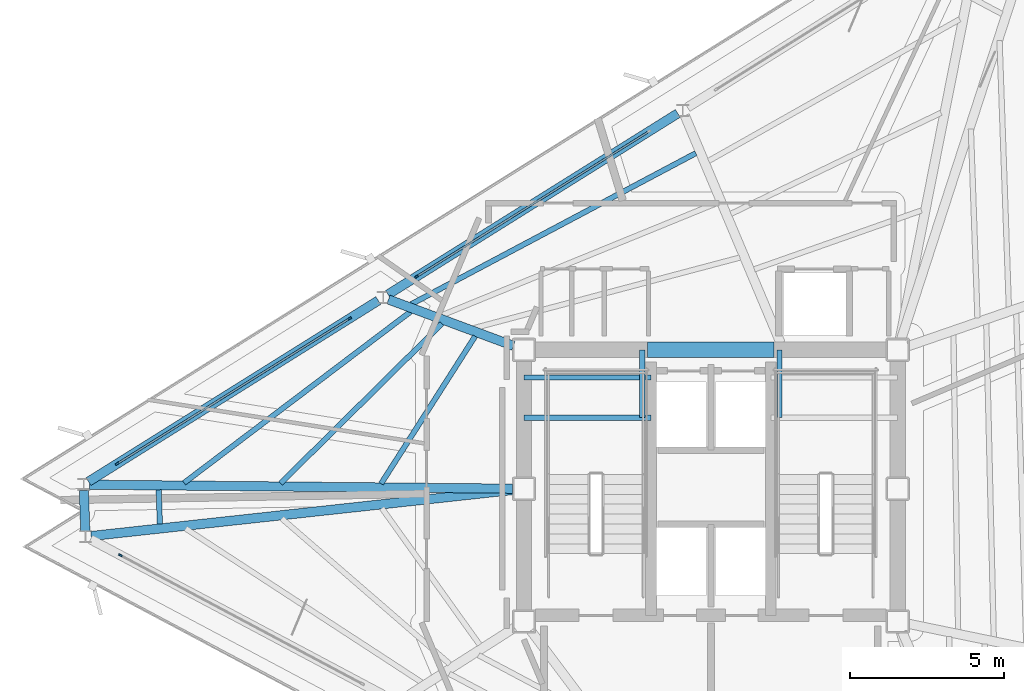
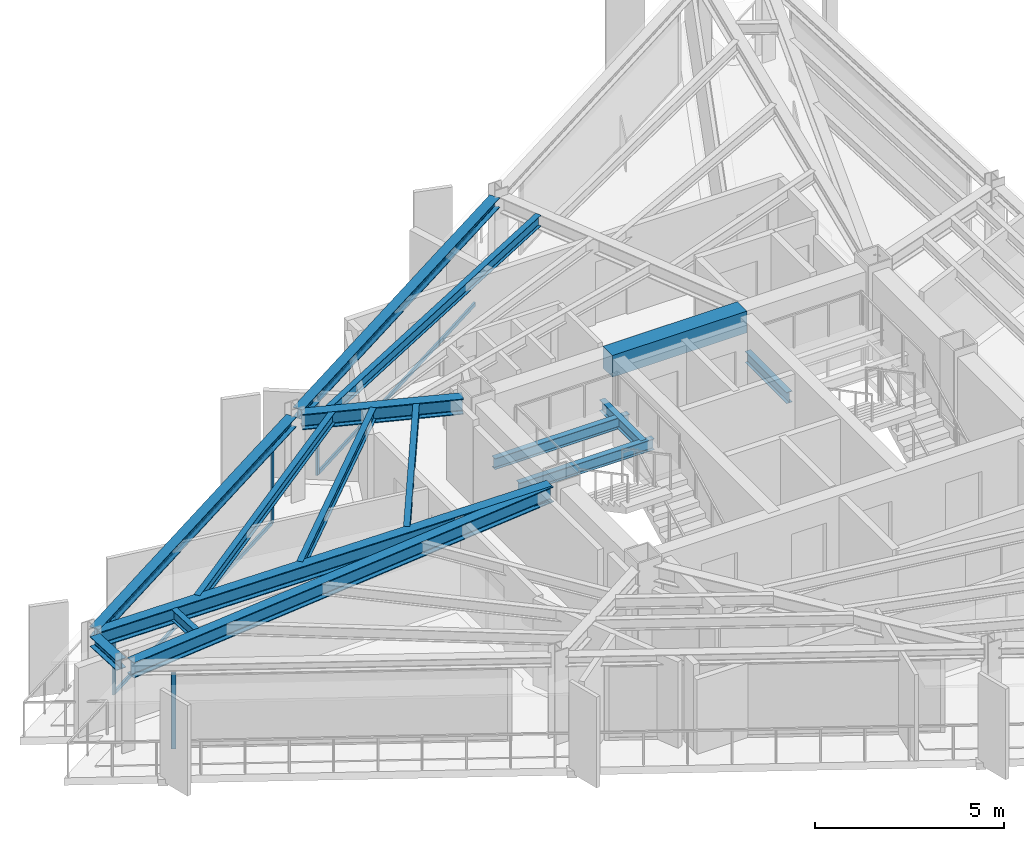
# One storey, part 4 of 13: 16 beams, 8 members, 3 elements without a shape of their own.
"""IFC4 building model written with IfcOpenShell, lengths in metres."""

from ifc_helpers import new_model, si_unit, direction, frame, origin, origin_2d, place, context, subcontext, project, spatial, rectangle, i_section, extrude, material, layer, layer_set, material_profile, profile_set, type_object, element, aggregate, save


model = new_model("IFC4")

# Units and contexts
model_context = context("Model", 3, precision=1e-05, world=origin(), true_north=direction((0.0, 1.0)))
body_context = subcontext(model_context, "Body", "Model", "MODEL_VIEW")
ifc_project = project(units=[si_unit("LENGTHUNIT", "METRE"), si_unit("AREAUNIT", "SQUARE_METRE"), si_unit("VOLUMEUNIT", "CUBIC_METRE"), si_unit("PLANEANGLEUNIT", "RADIAN"), si_unit("MASSUNIT", "GRAM", prefix="KILO")], contexts=[model_context])

# Site, building, storey
site_placement = place(None, origin())
site = spatial("IfcSite", under=ifc_project, at=site_placement, CompositionType="ELEMENT")
building_placement = place(site_placement, origin())
building = spatial("IfcBuilding", under=site, at=building_placement, Name="Rocaltana Carrier Exchange", CompositionType="ELEMENT")
storey_placement = place(building_placement, frame((0.0, 0.0, 199.679931640625)))
storey = spatial("IfcBuildingStorey", under=building, at=storey_placement, Name="L63", CompositionType="ELEMENT", Elevation=199.679931640625)

# Curtain wall, member
ifc_material_1 = material(Name="Aluminium 6063-T6", Category="aluminium")
ifc_layer = layer(ifc_material_1, 0.1201171875)
ifc_layer_set = layer_set([ifc_layer], Name="Aluminium 6063-T6")
curtain_wall_type = type_object("IfcCurtainWallType", Name="High-Altitude Thermal Curtain Wall CW-05", PredefinedType="NOTDEFINED", material=ifc_layer_set)
curtain_wall_1_placement = place(storey_placement, origin())
curtain_wall_1 = element("IfcCurtainWall", 1, at=curtain_wall_1_placement, inside=storey, type_object=curtain_wall_type, Name="L63 CW-05 Run CW-L63-F2S2", PredefinedType="NOTDEFINED")
ifc_material_2 = material(Name="Aluminium 6063-T6", Category="aluminium")
ifc_material_profile_1 = material_profile(ifc_material_2, rectangle(XDim=0.06005859375, YDim=0.1201171875, at=origin_2d()), Name="AL-60X120")
ifc_profile_set_1 = profile_set([ifc_material_profile_1], Name="Aluminium 6063-T6")
member_type_1 = type_object("IfcMemberType", Name="CW-05 Mullion AL-60X120", PredefinedType="MULLION", material=ifc_profile_set_1)
member_1_placement = place(storey_placement, frame((-9.52490234375, 6.870849609375, 0.0), z_axis=(0.0, 0.0, 1.0), x_axis=(0.529920452816, -0.848047353446, 0.0)))
member_1 = element("IfcMember", 2, at=member_1_placement, type_object=member_type_1, Name="CW-05 mullion 2", PredefinedType="MULLION", context=body_context, shape_type="SweptSolid", body=[
    extrude(rectangle(XDim=0.06005859375, YDim=0.1201171875, at=origin_2d()), origin(), (0.0, 0.0, 1.0), 2.447998046875),
])

# Curtain wall, members
curtain_wall_2_placement = place(storey_placement, origin())
curtain_wall_2 = element("IfcCurtainWall", 3, at=curtain_wall_2_placement, inside=storey, type_object=curtain_wall_type, Name="L63 CW-05 Run CW-L63-F2S3", PredefinedType="NOTDEFINED")
member_2_placement = place(storey_placement, frame((-11.696044921875, 5.514404296875, 0.0), z_axis=(0.0, 0.0, 1.0), x_axis=(0.529915422228, -0.848050496896, 0.0)))
member_2 = element("IfcMember", 4, at=member_2_placement, type_object=member_type_1, Name="CW-05 mullion 1", PredefinedType="MULLION", context=body_context, shape_type="SweptSolid", body=[
    extrude(rectangle(XDim=0.06005859375, YDim=0.1201171875, at=origin_2d()), origin(), (0.0, 0.0, 1.0), 2.447998046875),
])
member_3_placement = place(storey_placement, frame((-19.220947265625, 0.812255859375, 0.0), z_axis=(0.0, 0.0, 1.0), x_axis=(0.529915422228, -0.848050496896, 0.0)))
member_3 = element("IfcMember", 5, at=member_3_placement, type_object=member_type_1, Name="CW-05 mullion 2", PredefinedType="MULLION", context=body_context, shape_type="SweptSolid", body=[
    extrude(rectangle(XDim=0.06005859375, YDim=0.1201171875, at=origin_2d()), origin(), (0.0, 0.0, 1.0), 2.447998046875),
])

# Curtain wall, member
curtain_wall_3_placement = place(storey_placement, origin())
curtain_wall_3 = element("IfcCurtainWall", 6, at=curtain_wall_3_placement, inside=storey, type_object=curtain_wall_type, Name="L63 CW-05 Run CW-L63-F3S1", PredefinedType="NOTDEFINED")
member_4_placement = place(storey_placement, frame((-19.11767578125, -2.15087890625, 0.0), z_axis=(0.0, 0.0, 1.0), x_axis=(0.469483388841, 0.882941304732, 0.0)))
member_4 = element("IfcMember", 7, at=member_4_placement, type_object=member_type_1, Name="CW-05 mullion 1", PredefinedType="MULLION", context=body_context, shape_type="SweptSolid", body=[
    extrude(rectangle(XDim=0.06005859375, YDim=0.1201171875, at=origin_2d()), origin(), (0.0, 0.0, 1.0), 2.447998046875),
])
aggregate(curtain_wall_3, [member_4])

# Member
ifc_material_3 = material(Name="Aluminium 6063-T6", Category="aluminium")
ifc_material_profile_2 = material_profile(ifc_material_3, rectangle(XDim=0.06005859375, YDim=0.1201171875, at=origin_2d()), Name="AL-60X120")
ifc_profile_set_2 = profile_set([ifc_material_profile_2], Name="Aluminium 6063-T6")
member_type_2 = type_object("IfcMemberType", Name="CW-05 Transom AL-60X120", PredefinedType="USERDEFINED", material=ifc_profile_set_2)
member_5_placement = place(storey_placement, frame((-2.025390625, 11.55712890625, 0.030029296875), z_axis=(-0.848044988156, -0.529924238042, 0.0), x_axis=(0.529924238042, -0.848044988156, 0.0)))
member_5 = element("IfcMember", 8, at=member_5_placement, type_object=member_type_2, Name="CW-05 transom 1.1", ObjectType="TRANSOM", PredefinedType="USERDEFINED", context=body_context, shape_type="SweptSolid", body=[
    extrude(rectangle(XDim=0.06005859375, YDim=0.1201171875, at=origin_2d()), origin(), (0.0, 0.0, 1.0), 8.813232421875),
])

member_6_placement = place(storey_placement, frame((-2.025390625, 11.55712890625, 2.41796875), z_axis=(-0.848044988156, -0.529924238042, 0.0), x_axis=(0.529924238042, -0.848044988156, 0.0)))
member_6 = element("IfcMember", 9, at=member_6_placement, type_object=member_type_2, Name="CW-05 transom 1.2", ObjectType="TRANSOM", PredefinedType="USERDEFINED", context=body_context, shape_type="SweptSolid", body=[
    extrude(rectangle(XDim=0.06005859375, YDim=0.1201171875, at=origin_2d()), origin(), (0.0, 0.0, 1.0), 8.813232421875),
])

aggregate(curtain_wall_1, [member_1, member_5, member_6])

member_7_placement = place(storey_placement, frame((-11.721435546875, 5.498291015625, 0.030029296875), z_axis=(-0.848057437019, -0.529904315435, 0.0), x_axis=(0.529904315435, -0.848057437019, 0.0)))
member_7 = element("IfcMember", 10, at=member_7_placement, type_object=member_type_2, Name="CW-05 transom 1.1", ObjectType="TRANSOM", PredefinedType="USERDEFINED", context=body_context, shape_type="SweptSolid", body=[
    extrude(rectangle(XDim=0.06005859375, YDim=0.1201171875, at=origin_2d()), origin(), (0.0, 0.0, 1.0), 8.813232421875),
])

member_8_placement = place(storey_placement, frame((-11.721435546875, 5.498291015625, 2.41796875), z_axis=(-0.848057437019, -0.529904315435, 0.0), x_axis=(0.529904315435, -0.848057437019, 0.0)))
member_8 = element("IfcMember", 11, at=member_8_placement, type_object=member_type_2, Name="CW-05 transom 1.2", ObjectType="TRANSOM", PredefinedType="USERDEFINED", context=body_context, shape_type="SweptSolid", body=[
    extrude(rectangle(XDim=0.06005859375, YDim=0.1201171875, at=origin_2d()), origin(), (0.0, 0.0, 1.0), 8.813232421875),
])

aggregate(curtain_wall_2, [member_2, member_3, member_7, member_8])

# Beams
ifc_material_4 = material(Name="Concrete C60/75", Category="concrete")
ifc_material_profile_3 = material_profile(ifc_material_4, rectangle(XDim=0.5, YDim=0.699951171875, at=origin_2d()), Name="RC-BM-500X700")
ifc_profile_set_3 = profile_set([ifc_material_profile_3], Name="Concrete C60/75")
beam_type_1 = type_object("IfcBeamType", Name="Core Coupling Lintel 500x700", PredefinedType="LINTEL", material=ifc_profile_set_3)
beam_1_placement = place(storey_placement, frame((-2.050048828125, 4.5, 2.447998046875), z_axis=(1.0, 0.0, 0.0), x_axis=(0.0, 1.0, 0.0)))
element("IfcBeam", 12, at=beam_1_placement, inside=storey, type_object=beam_type_1, Name="L63 Core Coupling Lintel CL-N", PredefinedType="LINTEL", context=body_context, shape_type="SweptSolid", body=[
    extrude(rectangle(XDim=0.5, YDim=0.699951171875, at=origin_2d()), origin(), (0.0, 0.0, 1.0), 4.10009765625),
])
ifc_material_5 = material(Name="Steel S355", Category="steel")
ifc_material_profile_4 = material_profile(ifc_material_5, i_section(OverallWidth=0.172119140625, OverallDepth=0.35791015625, WebThickness=0.0078125, FlangeThickness=0.01318359375, FilletRadius=0.011962890625, at=origin_2d()), Name="W14X38")
ifc_profile_set_4 = profile_set([ifc_material_profile_4], Name="Steel S355")
beam_type_2 = type_object("IfcBeamType", Name="Floor Joist W14X38", PredefinedType="JOIST", material=ifc_profile_set_4)
for number, where, z_axis, x_axis, name in (
    (13, (-6.050048828125, 2.300048828125, 1.14111328125), (1.0, 0.0, 0.0), (0.0, 1.0, 0.0), "L63 ST-1 Landing Carrier 1"),
    (14, (-6.050048828125, 3.60009765625, 1.14111328125), (1.0, 0.0, 0.0), (0.0, 1.0, 0.0), "L63 ST-1 Landing Carrier 2"),
):
    element("IfcBeam", number, at=place(storey_placement, frame(where, z_axis=z_axis, x_axis=x_axis)), inside=storey, type_object=beam_type_2, Name=name, PredefinedType="JOIST", context=body_context, shape_type="SweptSolid", body=[
        extrude(i_section(OverallWidth=0.172119140625, OverallDepth=0.35791015625, WebThickness=0.0078125, FlangeThickness=0.01318359375, FilletRadius=0.011962890625, at=origin_2d()), origin(), (0.0, 0.0, 1.0), 4.110107421875),
    ])
for number, where, z_axis, x_axis, name in (
    (15, (-2.219970703125, 2.300048828125, 1.14111328125), (0.0, 1.0, 0.0), (-1.0, 0.0, 0.0), "L63 ST-1 Landing Cross Trimmer"),
    (16, (2.219970703125, 2.300048828125, 1.14111328125), (0.0, 1.0, 0.0), (-1.0, 0.0, 0.0), "L63 ST-2 Landing Cross Trimmer"),
):
    element("IfcBeam", number, at=place(storey_placement, frame(where, z_axis=z_axis, x_axis=x_axis)), inside=storey, type_object=beam_type_2, Name=name, PredefinedType="JOIST", context=body_context, shape_type="SweptSolid", body=[
        extrude(i_section(OverallWidth=0.172119140625, OverallDepth=0.35791015625, WebThickness=0.0078125, FlangeThickness=0.01318359375, FilletRadius=0.011962890625, at=origin_2d()), origin(), (0.0, 0.0, 1.0), 2.199951171875),
    ])
beam_2_placement = place(storey_placement, frame((-0.48681640625, 10.8662109375, 2.619140625), z_axis=(-0.883312459796, -0.468784703643, 0.0), x_axis=(0.468784703643, -0.883312459796, 0.0)))
element("IfcBeam", 17, at=beam_2_placement, inside=storey, type_object=beam_type_2, Name="FJ-L63-06-3", PredefinedType="JOIST", context=body_context, shape_type="SweptSolid", body=[
    extrude(i_section(OverallWidth=0.172119140625, OverallDepth=0.35791015625, WebThickness=0.0078125, FlangeThickness=0.01318359375, FilletRadius=0.011962890625, at=origin_2d()), origin(), (0.0, 0.0, 1.0), 10.439453125),
])
beam_3_placement = place(storey_placement, frame((-7.63232421875, 4.937255859375, 2.619140625), z_axis=(-0.537927212261, -0.842991289581, 0.0), x_axis=(0.842991289581, -0.537927212261, 0.0)))
element("IfcBeam", 18, at=beam_3_placement, inside=storey, type_object=beam_type_2, Name="FJ-L63-07-1", PredefinedType="JOIST", context=body_context, shape_type="SweptSolid", body=[
    extrude(i_section(OverallWidth=0.172119140625, OverallDepth=0.35791015625, WebThickness=0.0078125, FlangeThickness=0.01318359375, FilletRadius=0.011962890625, at=origin_2d()), origin(), (0.0, 0.0, 1.0), 5.660400390625),
])
beam_4_placement = place(storey_placement, frame((-8.706298828125, 5.3466796875, 2.619140625), z_axis=(-0.710816811973, -0.703377181757, 0.0), x_axis=(0.703377181757, -0.710816811973, 0.0)))
element("IfcBeam", 19, at=beam_4_placement, inside=storey, type_object=beam_type_2, Name="FJ-L63-07-2", PredefinedType="JOIST", context=body_context, shape_type="SweptSolid", body=[
    extrude(i_section(OverallWidth=0.172119140625, OverallDepth=0.35791015625, WebThickness=0.0078125, FlangeThickness=0.01318359375, FilletRadius=0.011962890625, at=origin_2d()), origin(), (0.0, 0.0, 1.0), 7.350830078125),
])
beam_5_placement = place(storey_placement, frame((-9.72216796875, 5.7333984375, 2.619140625), z_axis=(-0.797798617064, -0.602924013961, 0.0), x_axis=(0.602924013961, -0.797798617064, 0.0)))
element("IfcBeam", 20, at=beam_5_placement, inside=storey, type_object=beam_type_2, Name="FJ-L63-07-3", PredefinedType="JOIST", context=body_context, shape_type="SweptSolid", body=[
    extrude(i_section(OverallWidth=0.172119140625, OverallDepth=0.35791015625, WebThickness=0.0078125, FlangeThickness=0.01318359375, FilletRadius=0.011962890625, at=origin_2d()), origin(), (0.0, 0.0, 1.0), 9.19189453125),
])
beam_6_placement = place(storey_placement, frame((-17.8779296875, -0.03271484375, 2.619140625), z_axis=(0.034954429443, -0.999388907214, 0.0), x_axis=(0.999388907214, 0.034954429443, 0.0)))
element("IfcBeam", 21, at=beam_6_placement, inside=storey, type_object=beam_type_2, Name="FJ-L63-08-3", PredefinedType="JOIST", context=body_context, shape_type="SweptSolid", body=[
    extrude(i_section(OverallWidth=0.172119140625, OverallDepth=0.35791015625, WebThickness=0.0078125, FlangeThickness=0.01318359375, FilletRadius=0.011962890625, at=origin_2d()), origin(), (0.0, 0.0, 1.0), 1.110595703125),
])
ifc_material_6 = material(Name="Steel S355", Category="steel")
ifc_material_profile_5 = material_profile(ifc_material_6, i_section(OverallWidth=0.300048828125, OverallDepth=0.320068359375, WebThickness=0.011474609375, FlangeThickness=0.0205078125, FilletRadius=0.027099609375, at=origin_2d()), Name="HEB320")
ifc_profile_set_5 = profile_set([ifc_material_profile_5], Name="Steel S355")
beam_type_3 = type_object("IfcBeamType", Name="Spandrel Edge Beam HEB320", PredefinedType="SPANDREL", material=ifc_profile_set_5)
beam_7_placement = place(storey_placement, frame((-1.07177734375, 12.153076171875, 2.63818359375), z_axis=(-0.84805037449, -0.52991561812, 0.0), x_axis=(0.52991561812, -0.84805037449, 0.0)))
element("IfcBeam", 22, at=beam_7_placement, inside=storey, type_object=beam_type_3, Name="SP-L63-06", PredefinedType="SPANDREL", context=body_context, shape_type="SweptSolid", body=[
    extrude(i_section(OverallWidth=0.300048828125, OverallDepth=0.320068359375, WebThickness=0.011474609375, FlangeThickness=0.0205078125, FilletRadius=0.027099609375, at=origin_2d()), origin(), (0.0, 0.0, 1.0), 11.062255859375),
])
beam_8_placement = place(storey_placement, frame((-10.767822265625, 6.09423828125, 2.63818359375), z_axis=(-0.848056571721, -0.529905700253, 0.0), x_axis=(0.529905700253, -0.848056571721, 0.0)))
element("IfcBeam", 23, at=beam_8_placement, inside=storey, type_object=beam_type_3, Name="SP-L63-07", PredefinedType="SPANDREL", context=body_context, shape_type="SweptSolid", body=[
    extrude(i_section(OverallWidth=0.300048828125, OverallDepth=0.320068359375, WebThickness=0.011474609375, FlangeThickness=0.0205078125, FilletRadius=0.027099609375, at=origin_2d()), origin(), (0.0, 0.0, 1.0), 11.0625),
])
beam_9_placement = place(storey_placement, frame((-20.300048828125, -0.051513671875, 2.63818359375), z_axis=(0.034750289498, -0.999396026298, 0.0), x_axis=(0.999396026298, 0.034750289498, 0.0)))
element("IfcBeam", 24, at=beam_9_placement, inside=storey, type_object=beam_type_3, Name="SP-L63-08", PredefinedType="SPANDREL", context=body_context, shape_type="SweptSolid", body=[
    extrude(i_section(OverallWidth=0.300048828125, OverallDepth=0.320068359375, WebThickness=0.011474609375, FlangeThickness=0.0205078125, FilletRadius=0.027099609375, at=origin_2d()), origin(), (0.0, 0.0, 1.0), 1.313720703125),
])
ifc_material_7 = material(Name="Steel S355", Category="steel")
ifc_material_profile_6 = material_profile(ifc_material_7, i_section(OverallWidth=0.300048828125, OverallDepth=0.5, WebThickness=0.014404296875, FlangeThickness=0.028076171875, FilletRadius=0.027099609375, at=origin_2d()), Name="HEB500")
ifc_profile_set_6 = profile_set([ifc_material_profile_6], Name="Steel S355")
beam_type_4 = type_object("IfcBeamType", Name="Upper Radial Girder HEB500", PredefinedType="BEAM", material=ifc_profile_set_6)
beam_10_placement = place(storey_placement, frame((-6.39404296875, 4.627685546875, 2.548095703125), z_axis=(-0.937501283523, 0.347981814744, 0.0), x_axis=(-0.347981814744, -0.937501283523, 0.0)))
element("IfcBeam", 25, at=beam_10_placement, inside=storey, type_object=beam_type_4, Name="RG-L63-07", PredefinedType="BEAM", context=body_context, shape_type="SweptSolid", body=[
    extrude(i_section(OverallWidth=0.300048828125, OverallDepth=0.5, WebThickness=0.014404296875, FlangeThickness=0.028076171875, FilletRadius=0.027099609375, at=origin_2d()), origin(), (0.0, 0.0, 1.0), 4.31201171875),
])
beam_11_placement = place(storey_placement, frame((-6.4169921875, 0.00341796875, 2.548095703125), z_axis=(-0.999955930158, 0.009388170298, 0.0), x_axis=(-0.009388170298, -0.999955930158, 0.0)))
element("IfcBeam", 26, at=beam_11_placement, inside=storey, type_object=beam_type_4, Name="RG-L63-08", PredefinedType="BEAM", context=body_context, shape_type="SweptSolid", body=[
    extrude(i_section(OverallWidth=0.300048828125, OverallDepth=0.5, WebThickness=0.014404296875, FlangeThickness=0.028076171875, FilletRadius=0.027099609375, at=origin_2d()), origin(), (0.0, 0.0, 1.0), 13.70458984375),
])
beam_12_placement = place(storey_placement, frame((-6.414794921875, -0.039794921875, 2.548095703125), z_axis=(-0.994093982855, -0.108522593281, 0.0), x_axis=(0.108522593281, -0.994093982855, 0.0)))
element("IfcBeam", 27, at=beam_12_placement, inside=storey, type_object=beam_type_4, Name="RG-L63-09", PredefinedType="BEAM", context=body_context, shape_type="SweptSolid", body=[
    extrude(i_section(OverallWidth=0.300048828125, OverallDepth=0.5, WebThickness=0.014404296875, FlangeThickness=0.028076171875, FilletRadius=0.027099609375, at=origin_2d()), origin(), (0.0, 0.0, 1.0), 13.729736328125),
])

save(model, "model.ifc")
